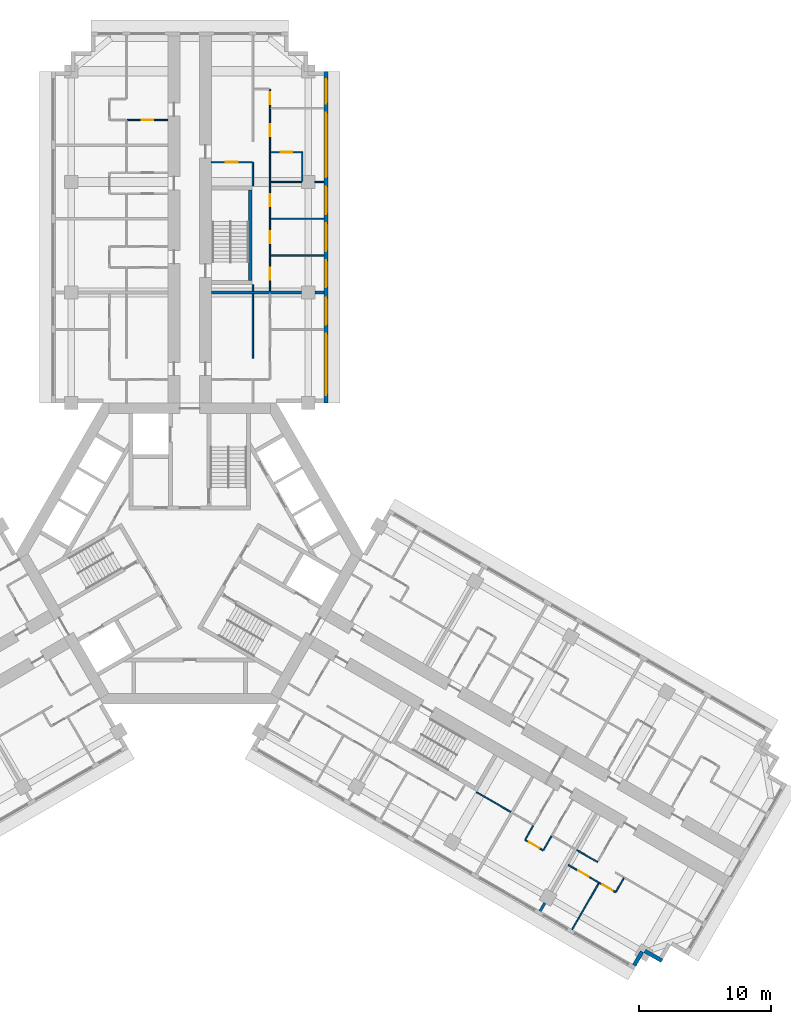
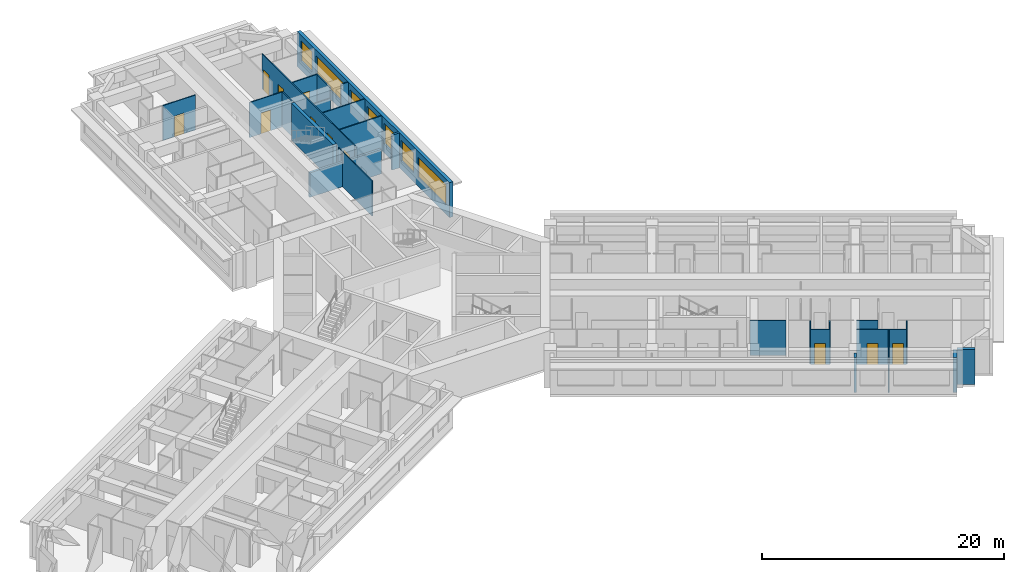
# One storey, part 10 of 15: 27 walls, 11 doors, 7 windows, 18 openings.
"""IFC4 building model written with IfcOpenShell, lengths in metres."""

from ifc_helpers import new_model, si_unit, direction, frame, frame_2d, origin, place, context, subcontext, project, spatial, rectangle, extrude, material, layer, layer_set, type_object, element, fill, save


model = new_model("IFC4")

# Units and contexts
model_context = context("Model", 3, precision=1e-05, world=origin(), true_north=direction((0.0, 1.0)))
body_context = subcontext(model_context, "Body", "Model", "MODEL_VIEW")
ifc_project = project(units=[si_unit("LENGTHUNIT", "METRE"), si_unit("AREAUNIT", "SQUARE_METRE"), si_unit("VOLUMEUNIT", "CUBIC_METRE"), si_unit("PLANEANGLEUNIT", "RADIAN"), si_unit("MASSUNIT", "GRAM", prefix="KILO")], contexts=[model_context])

# Site, building, storey
site_placement = place(None, origin())
site = spatial("IfcSite", under=ifc_project, at=site_placement, CompositionType="ELEMENT")
building_placement = place(site_placement, origin())
building = spatial("IfcBuilding", under=site, at=building_placement, Name="Impinga Residences", CompositionType="ELEMENT")
storey_placement = place(building_placement, frame((0.0, 0.0, 109.75)))
storey = spatial("IfcBuildingStorey", under=building, at=storey_placement, Name="L26", CompositionType="ELEMENT", Elevation=109.75)

# Wall, openings, windows
ifc_material_1 = material(Name="Terracotta rainscreen on blockwork", Category="masonry")
ifc_layer_1 = layer(ifc_material_1, 0.300048828125)
ifc_layer_set_1 = layer_set([ifc_layer_1], Name="EW1 external wall, terracotta rainscreen on blockwork 300")
wall_type_1 = type_object("IfcWallType", Name="EW1 external wall, terracotta rainscreen on blockwork 300", PredefinedType="SOLIDWALL", material=ifc_layer_set_1)
wall_1_placement = place(storey_placement, frame((10.35009765625, 36.631591796875, 0.0), z_axis=(0.0, 0.0, 1.0), x_axis=(0.0, -1.0, 0.0)))
wall_1 = element("IfcWall", 1, at=wall_1_placement, inside=storey, type_object=wall_type_1, Name="External wall EW1 L26", PredefinedType="SOLIDWALL", context=body_context, shape_type="SweptSolid", body=[
    extrude(rectangle(XDim=25.199951171875, YDim=0.300048828125, at=frame_2d((12.60009765625, 0.0))), origin(), (0.0, 0.0, 1.0), 3.530029296875),
])
opening_1_placement = place(wall_1_placement, frame((0.60009765625, 0.0, 0.89990234375)))
opening_1 = element("IfcOpeningElement", 2, at=opening_1_placement, cuts=wall_1, Name="Opening W15", PredefinedType="OPENING", context=body_context, shape_type="SweptSolid", body=[
    extrude(rectangle(XDim=1.85009765625, YDim=2.050048828125, at=frame_2d((0.925048828125, 1.02490234375))), frame((0.0, 0.159912109375, 0.0), z_axis=(0.0, -1.0, 0.0), x_axis=(1.0, 0.0, 0.0)), (0.0, 0.0, 1.0), 0.320068359375),
])
opening_2_placement = place(wall_1_placement, frame((3.14990234375, 0.0, 0.89990234375)))
opening_2 = element("IfcOpeningElement", 3, at=opening_2_placement, cuts=wall_1, Name="Opening W16", PredefinedType="OPENING", context=body_context, shape_type="SweptSolid", body=[
    extrude(rectangle(XDim=4.89990234375, YDim=2.050048828125, at=frame_2d((2.449951171875, 1.02490234375))), frame((0.0, 0.159912109375, 0.0), z_axis=(0.0, -1.0, 0.0), x_axis=(1.0, 0.0, 0.0)), (0.0, 0.0, 1.0), 0.320068359375),
])
opening_3_placement = place(wall_1_placement, frame((8.75, 0.0, 0.89990234375)))
opening_3 = element("IfcOpeningElement", 4, at=opening_3_placement, cuts=wall_1, Name="Opening W9", PredefinedType="OPENING", context=body_context, shape_type="SweptSolid", body=[
    extrude(rectangle(XDim=2.10009765625, YDim=2.050048828125, at=frame_2d((1.050048828125, 1.02490234375))), frame((0.0, 0.159912109375, 0.0), z_axis=(0.0, -1.0, 0.0), x_axis=(1.0, 0.0, 0.0)), (0.0, 0.0, 1.0), 0.320068359375),
])
opening_4_placement = place(wall_1_placement, frame((11.550048828125, 0.0, 0.89990234375)))
opening_4 = element("IfcOpeningElement", 5, at=opening_4_placement, cuts=wall_1, Name="Opening W9", PredefinedType="OPENING", context=body_context, shape_type="SweptSolid", body=[
    extrude(rectangle(XDim=2.10009765625, YDim=2.050048828125, at=frame_2d((1.050048828125, 1.02490234375))), frame((0.0, 0.159912109375, 0.0), z_axis=(0.0, -1.0, 0.0), x_axis=(1.0, 0.0, 0.0)), (0.0, 0.0, 1.0), 0.320068359375),
])
opening_5_placement = place(wall_1_placement, frame((14.35009765625, 0.0, 0.89990234375)))
opening_5 = element("IfcOpeningElement", 6, at=opening_5_placement, cuts=wall_1, Name="Opening W14", PredefinedType="OPENING", context=body_context, shape_type="SweptSolid", body=[
    extrude(rectangle(XDim=2.050048828125, YDim=2.050048828125, at=frame_2d((1.02490234375, 1.02490234375))), frame((0.0, 0.159912109375, 0.0), z_axis=(0.0, -1.0, 0.0), x_axis=(1.0, 0.0, 0.0)), (0.0, 0.0, 1.0), 0.320068359375),
])
opening_6_placement = place(wall_1_placement, frame((17.199951171875, 0.0, 0.89990234375)))
opening_6 = element("IfcOpeningElement", 7, at=opening_6_placement, cuts=wall_1, Name="Opening W14", PredefinedType="OPENING", context=body_context, shape_type="SweptSolid", body=[
    extrude(rectangle(XDim=2.050048828125, YDim=2.050048828125, at=frame_2d((1.02490234375, 1.02490234375))), frame((0.0, 0.159912109375, 0.0), z_axis=(0.0, -1.0, 0.0), x_axis=(1.0, 0.0, 0.0)), (0.0, 0.0, 1.0), 0.320068359375),
])
opening_7_placement = place(wall_1_placement, frame((19.949951171875, 0.0, 0.89990234375)))
opening_7 = element("IfcOpeningElement", 8, at=opening_7_placement, cuts=wall_1, Name="Opening W10", PredefinedType="OPENING", context=body_context, shape_type="SweptSolid", body=[
    extrude(rectangle(XDim=4.64990234375, YDim=2.050048828125, at=frame_2d((2.324951171875, 1.02490234375))), frame((0.0, 0.159912109375, 0.0), z_axis=(0.0, -1.0, 0.0), x_axis=(1.0, 0.0, 0.0)), (0.0, 0.0, 1.0), 0.320068359375),
])
ifc_material_2 = material(Name="Aluminium window, clear double glazing", Category="aluminium")
window_type_1 = type_object("IfcWindowType", Name="W10 ribbon window 4650x2050", PartitioningType="SINGLE_PANEL", PredefinedType="WINDOW", material=ifc_material_2)
window_1_placement = place(opening_7_placement, origin())
window_1 = element("IfcWindow", 9, at=window_1_placement, inside=storey, type_object=window_type_1, Name="Window L26", OverallHeight=2.050048828125, OverallWidth=4.64990234375, PartitioningType="SINGLE_PANEL", PredefinedType="WINDOW", context=body_context, shape_type="SweptSolid", body=[
    extrude(rectangle(XDim=4.64990234375, YDim=2.050048828125, at=frame_2d((2.324951171875, 1.02490234375))), frame((0.0, 0.030029296875, 0.0), z_axis=(0.0, -1.0, 0.0), x_axis=(1.0, 0.0, 0.0)), (0.0, 0.0, 1.0), 0.06005859375),
])
fill(opening_7, window_1)
window_type_2 = type_object("IfcWindowType", Name="W14 ribbon window 2050x2050", PartitioningType="SINGLE_PANEL", PredefinedType="WINDOW", material=ifc_material_2)
window_2_placement = place(opening_5_placement, origin())
window_2 = element("IfcWindow", 10, at=window_2_placement, inside=storey, type_object=window_type_2, Name="Window L26", OverallHeight=2.050048828125, OverallWidth=2.050048828125, PartitioningType="SINGLE_PANEL", PredefinedType="WINDOW", context=body_context, shape_type="SweptSolid", body=[
    extrude(rectangle(XDim=2.050048828125, YDim=2.050048828125, at=frame_2d((1.02490234375, 1.02490234375))), frame((0.0, 0.030029296875, 0.0), z_axis=(0.0, -1.0, 0.0), x_axis=(1.0, 0.0, 0.0)), (0.0, 0.0, 1.0), 0.06005859375),
])
fill(opening_5, window_2)
window_3_placement = place(opening_6_placement, origin())
window_3 = element("IfcWindow", 11, at=window_3_placement, inside=storey, type_object=window_type_2, Name="Window L26", OverallHeight=2.050048828125, OverallWidth=2.050048828125, PartitioningType="SINGLE_PANEL", PredefinedType="WINDOW", context=body_context, shape_type="SweptSolid", body=[
    extrude(rectangle(XDim=2.050048828125, YDim=2.050048828125, at=frame_2d((1.02490234375, 1.02490234375))), frame((0.0, 0.030029296875, 0.0), z_axis=(0.0, -1.0, 0.0), x_axis=(1.0, 0.0, 0.0)), (0.0, 0.0, 1.0), 0.06005859375),
])
fill(opening_6, window_3)
window_type_3 = type_object("IfcWindowType", Name="W15 ribbon window 1850x2050", PartitioningType="SINGLE_PANEL", PredefinedType="WINDOW", material=ifc_material_2)
window_4_placement = place(opening_1_placement, origin())
window_4 = element("IfcWindow", 12, at=window_4_placement, inside=storey, type_object=window_type_3, Name="Window L26", OverallHeight=2.050048828125, OverallWidth=1.85009765625, PartitioningType="SINGLE_PANEL", PredefinedType="WINDOW", context=body_context, shape_type="SweptSolid", body=[
    extrude(rectangle(XDim=1.85009765625, YDim=2.050048828125, at=frame_2d((0.925048828125, 1.02490234375))), frame((0.0, 0.030029296875, 0.0), z_axis=(0.0, -1.0, 0.0), x_axis=(1.0, 0.0, 0.0)), (0.0, 0.0, 1.0), 0.06005859375),
])
fill(opening_1, window_4)
window_type_4 = type_object("IfcWindowType", Name="W16 ribbon window 4900x2050", PartitioningType="SINGLE_PANEL", PredefinedType="WINDOW", material=ifc_material_2)
window_5_placement = place(opening_2_placement, origin())
window_5 = element("IfcWindow", 13, at=window_5_placement, inside=storey, type_object=window_type_4, Name="Window L26", OverallHeight=2.050048828125, OverallWidth=4.89990234375, PartitioningType="SINGLE_PANEL", PredefinedType="WINDOW", context=body_context, shape_type="SweptSolid", body=[
    extrude(rectangle(XDim=4.89990234375, YDim=2.050048828125, at=frame_2d((2.449951171875, 1.02490234375))), frame((0.0, 0.030029296875, 0.0), z_axis=(0.0, -1.0, 0.0), x_axis=(1.0, 0.0, 0.0)), (0.0, 0.0, 1.0), 0.06005859375),
])
fill(opening_2, window_5)
window_type_5 = type_object("IfcWindowType", Name="W9 ribbon window 2100x2050", PartitioningType="SINGLE_PANEL", PredefinedType="WINDOW", material=ifc_material_2)
window_6_placement = place(opening_3_placement, origin())
window_6 = element("IfcWindow", 14, at=window_6_placement, inside=storey, type_object=window_type_5, Name="Window L26", OverallHeight=2.050048828125, OverallWidth=2.10009765625, PartitioningType="SINGLE_PANEL", PredefinedType="WINDOW", context=body_context, shape_type="SweptSolid", body=[
    extrude(rectangle(XDim=2.10009765625, YDim=2.050048828125, at=frame_2d((1.050048828125, 1.02490234375))), frame((0.0, 0.030029296875, 0.0), z_axis=(0.0, -1.0, 0.0), x_axis=(1.0, 0.0, 0.0)), (0.0, 0.0, 1.0), 0.06005859375),
])
fill(opening_3, window_6)
window_7_placement = place(opening_4_placement, origin())
window_7 = element("IfcWindow", 15, at=window_7_placement, inside=storey, type_object=window_type_5, Name="Window L26", OverallHeight=2.050048828125, OverallWidth=2.10009765625, PartitioningType="SINGLE_PANEL", PredefinedType="WINDOW", context=body_context, shape_type="SweptSolid", body=[
    extrude(rectangle(XDim=2.10009765625, YDim=2.050048828125, at=frame_2d((1.050048828125, 1.02490234375))), frame((0.0, 0.030029296875, 0.0), z_axis=(0.0, -1.0, 0.0), x_axis=(1.0, 0.0, 0.0)), (0.0, 0.0, 1.0), 0.06005859375),
])
fill(opening_4, window_7)

# Walls
wall_2_placement = place(storey_placement, frame((35.87255859375, -30.93017578125, 0.0), z_axis=(0.0, 0.0, 1.0), x_axis=(-0.866031096941, 0.499990139034, 0.0)))
element("IfcWall", 16, at=wall_2_placement, inside=storey, type_object=wall_type_1, Name="External wall EW1 L26", PredefinedType="SOLIDWALL", context=body_context, shape_type="SweptSolid", body=[
    extrude(rectangle(XDim=1.5, YDim=0.300048828125, at=frame_2d((0.75, 0.0))), origin(), (0.0, 0.0, 1.0), 3.530029296875),
])
wall_3_placement = place(storey_placement, frame((34.365966796875, -30.2392578125, 0.0), z_axis=(0.0, 0.0, 1.0), x_axis=(-0.499940577336, -0.866059708757, 0.0)))
element("IfcWall", 17, at=wall_3_placement, inside=storey, type_object=wall_type_1, Name="External wall EW1 L26", PredefinedType="SOLIDWALL", context=body_context, shape_type="SweptSolid", body=[
    extrude(rectangle(XDim=1.195068359375, YDim=0.300048828125, at=frame_2d((0.59765625, 0.0))), origin(), (0.0, 0.0, 1.0), 3.530029296875),
])

# Wall, opening, door
ifc_material_3 = material(Name="Gypsum board on steel studs", Category="steel")
ifc_layer_2 = layer(ifc_material_3, 0.10009765625)
ifc_layer_set_2 = layer_set([ifc_layer_2], Name="Gypsum board on steel studs")
wall_type_2 = type_object("IfcWallType", Name="IP1 partition 100", PredefinedType="PARTITIONING", material=ifc_layer_set_2)
wall_4_placement = place(storey_placement, frame((-1.64990234375, 32.931640625, 0.0), z_axis=(0.0, 0.0, 1.0), x_axis=(-1.0, 0.0, 0.0)))
wall_4 = element("IfcWall", 18, at=wall_4_placement, inside=storey, type_object=wall_type_2, Name="Partition L26-NA4:IB1", PredefinedType="PARTITIONING", context=body_context, shape_type="SweptSolid", body=[
    extrude(rectangle(XDim=3.10009765625, YDim=0.10009765625, at=frame_2d((1.550048828125, 0.0))), origin(), (0.0, 0.0, 1.0), 3.530029296875),
])
opening_8_placement = place(wall_4_placement, frame((1.10009765625, 0.0, 0.0)))
opening_8 = element("IfcOpeningElement", 19, at=opening_8_placement, cuts=wall_4, Name="Opening D2", PredefinedType="OPENING", context=body_context, shape_type="SweptSolid", body=[
    extrude(rectangle(XDim=0.89990234375, YDim=2.10009765625, at=frame_2d((0.449951171875, 1.050048828125))), frame((0.0, 0.06005859375, 0.0), z_axis=(0.0, -1.0, 0.0), x_axis=(1.0, 0.0, 0.0)), (0.0, 0.0, 1.0), 0.1201171875),
])
ifc_material_4 = material(Name="Timber door set", Category="wood")
door_type = type_object("IfcDoorType", Name="D2 internal door 900x2100", OperationType="SINGLE_SWING_LEFT", PredefinedType="DOOR", material=ifc_material_4)
door_1_placement = place(opening_8_placement, origin())
door_1 = element("IfcDoor", 20, at=door_1_placement, inside=storey, type_object=door_type, Name="Apartment L26-NA4 bathroom door", OperationType="SINGLE_SWING_LEFT", OverallHeight=2.10009765625, OverallWidth=0.89990234375, PredefinedType="DOOR", context=body_context, shape_type="SweptSolid", body=[
    extrude(rectangle(XDim=0.89990234375, YDim=2.10009765625, at=frame_2d((0.449951171875, 1.050048828125))), frame((0.0, 0.02490234375, 0.0), z_axis=(0.0, -1.0, 0.0), x_axis=(1.0, 0.0, 0.0)), (0.0, 0.0, 1.0), 0.050048828125),
])
fill(opening_8, door_1)

# Walls
wall_5_placement = place(storey_placement, frame((4.800048828125, 14.83154296875, 0.0), z_axis=(0.0, 0.0, 1.0), x_axis=(0.0, 1.0, 0.0)))
element("IfcWall", 21, at=wall_5_placement, inside=storey, type_object=wall_type_2, Name="Partition L26-NF1:DIV1", PredefinedType="PARTITIONING", context=body_context, shape_type="SweptSolid", body=[
    extrude(rectangle(XDim=4.89990234375, YDim=0.10009765625, at=frame_2d((2.449951171875, 0.0))), origin(), (0.0, 0.0, 1.0), 3.530029296875),
])
wall_6_placement = place(storey_placement, frame((4.800048828125, 19.931640625, 0.0), z_axis=(0.0, 0.0, 1.0), x_axis=(0.0, 1.0, 0.0)))
element("IfcWall", 22, at=wall_6_placement, inside=storey, type_object=wall_type_2, Name="Partition L26-NF2:DIV0", PredefinedType="PARTITIONING", context=body_context, shape_type="SweptSolid", body=[
    extrude(rectangle(XDim=0.5, YDim=0.10009765625, at=frame_2d((0.25, 0.0))), origin(), (0.0, 0.0, 1.0), 3.530029296875),
])
wall_7_placement = place(storey_placement, frame((4.800048828125, 27.931640625, 0.0), z_axis=(0.0, 0.0, 1.0), x_axis=(0.0, 1.0, 0.0)))
element("IfcWall", 23, at=wall_7_placement, inside=storey, type_object=wall_type_2, Name="Partition L26-NF2:DIV1", PredefinedType="PARTITIONING", context=body_context, shape_type="SweptSolid", body=[
    extrude(rectangle(XDim=1.7998046875, YDim=0.10009765625, at=frame_2d((0.89990234375, 0.0))), origin(), (0.0, 0.0, 1.0), 3.530029296875),
])

# Wall, openings, doors
wall_8_placement = place(storey_placement, frame((6.10009765625, 19.931640625, 0.0), z_axis=(0.0, 0.0, 1.0), x_axis=(0.0, 1.0, 0.0)))
wall_8 = element("IfcWall", 24, at=wall_8_placement, inside=storey, type_object=wall_type_2, Name="Partition L26-NF2:STRIP", PredefinedType="PARTITIONING", context=body_context, shape_type="SweptSolid", body=[
    extrude(rectangle(XDim=15.349853515625, YDim=0.10009765625, at=frame_2d((7.6748046875, 0.0))), origin(), (0.0, 0.0, 1.0), 3.530029296875),
])
opening_9_placement = place(wall_8_placement, frame((0.875, 0.0, 0.0)))
opening_9 = element("IfcOpeningElement", 25, at=opening_9_placement, cuts=wall_8, Name="Opening D2", PredefinedType="OPENING", context=body_context, shape_type="SweptSolid", body=[
    extrude(rectangle(XDim=0.89990234375, YDim=2.10009765625, at=frame_2d((0.449951171875, 1.050048828125))), frame((0.0, 0.06005859375, 0.0), z_axis=(0.0, -1.0, 0.0), x_axis=(1.0, 0.0, 0.0)), (0.0, 0.0, 1.0), 0.1201171875),
])
opening_10_placement = place(wall_8_placement, frame((3.64990234375, 0.0, 0.0)))
opening_10 = element("IfcOpeningElement", 26, at=opening_10_placement, cuts=wall_8, Name="Opening D2", PredefinedType="OPENING", context=body_context, shape_type="SweptSolid", body=[
    extrude(rectangle(XDim=0.89990234375, YDim=2.10009765625, at=frame_2d((0.449951171875, 1.050048828125))), frame((0.0, 0.06005859375, 0.0), z_axis=(0.0, -1.0, 0.0), x_axis=(1.0, 0.0, 0.0)), (0.0, 0.0, 1.0), 0.1201171875),
])
opening_11_placement = place(wall_8_placement, frame((6.449951171875, 0.0, 0.0)))
opening_11 = element("IfcOpeningElement", 27, at=opening_11_placement, cuts=wall_8, Name="Opening D2", PredefinedType="OPENING", context=body_context, shape_type="SweptSolid", body=[
    extrude(rectangle(XDim=0.89990234375, YDim=2.10009765625, at=frame_2d((0.449951171875, 1.050048828125))), frame((0.0, 0.06005859375, 0.0), z_axis=(0.0, -1.0, 0.0), x_axis=(1.0, 0.0, 0.0)), (0.0, 0.0, 1.0), 0.1201171875),
])
opening_12_placement = place(wall_8_placement, frame((11.77490234375, 0.0, 0.0)))
opening_12 = element("IfcOpeningElement", 28, at=opening_12_placement, cuts=wall_8, Name="Opening D2", PredefinedType="OPENING", context=body_context, shape_type="SweptSolid", body=[
    extrude(rectangle(XDim=0.89990234375, YDim=2.10009765625, at=frame_2d((0.449951171875, 1.050048828125))), frame((0.0, 0.06005859375, 0.0), z_axis=(0.0, -1.0, 0.0), x_axis=(1.0, 0.0, 0.0)), (0.0, 0.0, 1.0), 0.1201171875),
])
opening_13_placement = place(wall_8_placement, frame((14.199951171875, 0.0, 0.0)))
opening_13 = element("IfcOpeningElement", 29, at=opening_13_placement, cuts=wall_8, Name="Opening D2", PredefinedType="OPENING", context=body_context, shape_type="SweptSolid", body=[
    extrude(rectangle(XDim=0.89990234375, YDim=2.10009765625, at=frame_2d((0.449951171875, 1.050048828125))), frame((0.0, 0.06005859375, 0.0), z_axis=(0.0, -1.0, 0.0), x_axis=(1.0, 0.0, 0.0)), (0.0, 0.0, 1.0), 0.1201171875),
])
door_2_placement = place(opening_9_placement, origin())
door_2 = element("IfcDoor", 30, at=door_2_placement, inside=storey, type_object=door_type, Name="Apartment L26-NF2 room door", OperationType="SINGLE_SWING_LEFT", OverallHeight=2.10009765625, OverallWidth=0.89990234375, PredefinedType="DOOR", context=body_context, shape_type="SweptSolid", body=[
    extrude(rectangle(XDim=0.89990234375, YDim=2.10009765625, at=frame_2d((0.449951171875, 1.050048828125))), frame((0.0, 0.02490234375, 0.0), z_axis=(0.0, -1.0, 0.0), x_axis=(1.0, 0.0, 0.0)), (0.0, 0.0, 1.0), 0.050048828125),
])
fill(opening_9, door_2)
door_3_placement = place(opening_10_placement, origin())
door_3 = element("IfcDoor", 31, at=door_3_placement, inside=storey, type_object=door_type, Name="Apartment L26-NF2 room door", OperationType="SINGLE_SWING_LEFT", OverallHeight=2.10009765625, OverallWidth=0.89990234375, PredefinedType="DOOR", context=body_context, shape_type="SweptSolid", body=[
    extrude(rectangle(XDim=0.89990234375, YDim=2.10009765625, at=frame_2d((0.449951171875, 1.050048828125))), frame((0.0, 0.02490234375, 0.0), z_axis=(0.0, -1.0, 0.0), x_axis=(1.0, 0.0, 0.0)), (0.0, 0.0, 1.0), 0.050048828125),
])
fill(opening_10, door_3)
door_4_placement = place(opening_11_placement, origin())
door_4 = element("IfcDoor", 32, at=door_4_placement, inside=storey, type_object=door_type, Name="Apartment L26-NF2 room door", OperationType="SINGLE_SWING_LEFT", OverallHeight=2.10009765625, OverallWidth=0.89990234375, PredefinedType="DOOR", context=body_context, shape_type="SweptSolid", body=[
    extrude(rectangle(XDim=0.89990234375, YDim=2.10009765625, at=frame_2d((0.449951171875, 1.050048828125))), frame((0.0, 0.02490234375, 0.0), z_axis=(0.0, -1.0, 0.0), x_axis=(1.0, 0.0, 0.0)), (0.0, 0.0, 1.0), 0.050048828125),
])
fill(opening_11, door_4)
door_5_placement = place(opening_12_placement, origin())
door_5 = element("IfcDoor", 33, at=door_5_placement, inside=storey, type_object=door_type, Name="Apartment L26-NF2 room door", OperationType="SINGLE_SWING_RIGHT", OverallHeight=2.10009765625, OverallWidth=0.89990234375, PredefinedType="DOOR", context=body_context, shape_type="SweptSolid", body=[
    extrude(rectangle(XDim=0.89990234375, YDim=2.10009765625, at=frame_2d((0.449951171875, 1.050048828125))), frame((0.0, 0.02490234375, 0.0), z_axis=(0.0, -1.0, 0.0), x_axis=(1.0, 0.0, 0.0)), (0.0, 0.0, 1.0), 0.050048828125),
])
fill(opening_12, door_5)
door_6_placement = place(opening_13_placement, origin())
door_6 = element("IfcDoor", 34, at=door_6_placement, inside=storey, type_object=door_type, Name="Apartment L26-NF2 room door", OperationType="SINGLE_SWING_RIGHT", OverallHeight=2.10009765625, OverallWidth=0.89990234375, PredefinedType="DOOR", context=body_context, shape_type="SweptSolid", body=[
    extrude(rectangle(XDim=0.89990234375, YDim=2.10009765625, at=frame_2d((0.449951171875, 1.050048828125))), frame((0.0, 0.02490234375, 0.0), z_axis=(0.0, -1.0, 0.0), x_axis=(1.0, 0.0, 0.0)), (0.0, 0.0, 1.0), 0.050048828125),
])
fill(opening_13, door_6)

# Wall, opening, door
wall_9_placement = place(storey_placement, frame((1.64990234375, 29.7314453125, 0.0), z_axis=(0.0, 0.0, 1.0), x_axis=(1.0, 0.0, 0.0)))
wall_9 = element("IfcWall", 35, at=wall_9_placement, inside=storey, type_object=wall_type_2, Name="Partition L26-NF2:IB1", PredefinedType="PARTITIONING", context=body_context, shape_type="SweptSolid", body=[
    extrude(rectangle(XDim=3.10009765625, YDim=0.10009765625, at=frame_2d((1.550048828125, 0.0))), origin(), (0.0, 0.0, 1.0), 3.530029296875),
])
opening_14_placement = place(wall_9_placement, frame((1.10009765625, 0.0, 0.0)))
opening_14 = element("IfcOpeningElement", 36, at=opening_14_placement, cuts=wall_9, Name="Opening D2", PredefinedType="OPENING", context=body_context, shape_type="SweptSolid", body=[
    extrude(rectangle(XDim=0.89990234375, YDim=2.10009765625, at=frame_2d((0.449951171875, 1.050048828125))), frame((0.0, 0.06005859375, 0.0), z_axis=(0.0, -1.0, 0.0), x_axis=(1.0, 0.0, 0.0)), (0.0, 0.0, 1.0), 0.1201171875),
])
door_7_placement = place(opening_14_placement, origin())
door_7 = element("IfcDoor", 37, at=door_7_placement, inside=storey, type_object=door_type, Name="Apartment L26-NF2 bathroom door", OperationType="SINGLE_SWING_LEFT", OverallHeight=2.10009765625, OverallWidth=0.89990234375, PredefinedType="DOOR", context=body_context, shape_type="SweptSolid", body=[
    extrude(rectangle(XDim=0.89990234375, YDim=2.10009765625, at=frame_2d((0.449951171875, 1.050048828125))), frame((0.0, 0.02490234375, 0.0), z_axis=(0.0, -1.0, 0.0), x_axis=(1.0, 0.0, 0.0)), (0.0, 0.0, 1.0), 0.050048828125),
])
fill(opening_14, door_7)

# Walls
for number, where, z_axis, x_axis, name in (
    (38, (6.14990234375, 22.631591796875, 0.0), (0.0, 0.0, 1.0), (1.0, 0.0, 0.0), "Partition L26-NF2:OB1"),
    (39, (6.14990234375, 25.431640625, 0.0), (0.0, 0.0, 1.0), (1.0, 0.0, 0.0), "Partition L26-NF2:OB2"),
):
    element("IfcWall", number, at=place(storey_placement, frame(where, z_axis=z_axis, x_axis=x_axis)), inside=storey, type_object=wall_type_2, Name=name, PredefinedType="PARTITIONING", context=body_context, shape_type="SweptSolid", body=[
        extrude(rectangle(XDim=4.050048828125, YDim=0.10009765625, at=frame_2d((2.02490234375, 0.0))), origin(), (0.0, 0.0, 1.0), 3.530029296875),
    ])
wall_10_placement = place(storey_placement, frame((6.14990234375, 28.2314453125, 0.0), z_axis=(0.0, 0.0, 1.0), x_axis=(1.0, 0.0, 0.0)))
element("IfcWall", 40, at=wall_10_placement, inside=storey, type_object=wall_type_2, Name="Partition L26-NF2:OB3", PredefinedType="PARTITIONING", context=body_context, shape_type="SweptSolid", body=[
    extrude(rectangle(XDim=2.35009765625, YDim=0.10009765625, at=frame_2d((1.175048828125, 0.0))), origin(), (0.0, 0.0, 1.0), 2.47998046875),
])
wall_11_placement = place(storey_placement, frame((9.5, 28.2314453125, 0.0), z_axis=(0.0, 0.0, 1.0), x_axis=(1.0, 0.0, 0.0)))
element("IfcWall", 41, at=wall_11_placement, inside=storey, type_object=wall_type_2, Name="Partition L26-NF2:OB3b", PredefinedType="PARTITIONING", context=body_context, shape_type="SweptSolid", body=[
    extrude(rectangle(XDim=0.699951171875, YDim=0.10009765625, at=frame_2d((0.35009765625, 0.0))), origin(), (0.0, 0.0, 1.0), 3.530029296875),
])

# Wall, opening, door
wall_12_placement = place(storey_placement, frame((6.14990234375, 30.4814453125, 0.0), z_axis=(0.0, 0.0, 1.0), x_axis=(1.0, 0.0, 0.0)))
wall_12 = element("IfcWall", 42, at=wall_12_placement, inside=storey, type_object=wall_type_2, Name="Partition L26-NF2:EN1", PredefinedType="PARTITIONING", context=body_context, shape_type="SweptSolid", body=[
    extrude(rectangle(XDim=2.4501953125, YDim=0.10009765625, at=frame_2d((1.22509765625, 0.0))), origin(), (0.0, 0.0, 1.0), 3.530029296875),
])
opening_15_placement = place(wall_12_placement, frame((0.75, 0.0, 0.0)))
opening_15 = element("IfcOpeningElement", 43, at=opening_15_placement, cuts=wall_12, Name="Opening D2", PredefinedType="OPENING", context=body_context, shape_type="SweptSolid", body=[
    extrude(rectangle(XDim=0.89990234375, YDim=2.10009765625, at=frame_2d((0.449951171875, 1.050048828125))), frame((0.0, 0.06005859375, 0.0), z_axis=(0.0, -1.0, 0.0), x_axis=(1.0, 0.0, 0.0)), (0.0, 0.0, 1.0), 0.1201171875),
])
door_8_placement = place(opening_15_placement, origin())
door_8 = element("IfcDoor", 44, at=door_8_placement, inside=storey, type_object=door_type, Name="Apartment L26-NF2 en-suite door", OperationType="SINGLE_SWING_LEFT", OverallHeight=2.10009765625, OverallWidth=0.89990234375, PredefinedType="DOOR", context=body_context, shape_type="SweptSolid", body=[
    extrude(rectangle(XDim=0.89990234375, YDim=2.10009765625, at=frame_2d((0.449951171875, 1.050048828125))), frame((0.0, 0.02490234375, 0.0), z_axis=(0.0, -1.0, 0.0), x_axis=(1.0, 0.0, 0.0)), (0.0, 0.0, 1.0), 0.050048828125),
])
fill(opening_15, door_8)

# Walls
wall_13_placement = place(storey_placement, frame((8.550048828125, 28.281494140625, 0.0), z_axis=(0.0, 0.0, 1.0), x_axis=(0.0, 1.0, 0.0)))
element("IfcWall", 45, at=wall_13_placement, inside=storey, type_object=wall_type_2, Name="Partition L26-NF2:EN2", PredefinedType="PARTITIONING", context=body_context, shape_type="SweptSolid", body=[
    extrude(rectangle(XDim=2.150146484375, YDim=0.10009765625, at=frame_2d((1.0751953125, 0.0))), origin(), (0.0, 0.0, 1.0), 3.530029296875),
])
wall_14_placement = place(storey_placement, frame((21.789306640625, -18.122802734375, 0.0), z_axis=(0.0, 0.0, 1.0), x_axis=(0.866031096941, -0.499990139034, 0.0)))
element("IfcWall", 46, at=wall_14_placement, inside=storey, type_object=wall_type_2, Name="Partition L26-EF1:DIV2", PredefinedType="PARTITIONING", context=body_context, shape_type="SweptSolid", body=[
    extrude(rectangle(XDim=3.0, YDim=0.10009765625, at=frame_2d((1.5, 0.0))), origin(), (0.0, 0.0, 1.0), 3.530029296875),
])

# Wall, opening, door
wall_15_placement = place(storey_placement, frame((25.469482421875, -21.74853515625, 0.0), z_axis=(0.0, 0.0, 1.0), x_axis=(0.866028054938, -0.499995408039, 0.0)))
wall_15 = element("IfcWall", 47, at=wall_15_placement, inside=storey, type_object=wall_type_2, Name="Partition L26-EF2:STRIP", PredefinedType="PARTITIONING", context=body_context, shape_type="SweptSolid", body=[
    extrude(rectangle(XDim=1.60009765625, YDim=0.10009765625, at=frame_2d((0.800048828125, 0.0))), origin(), (0.0, 0.0, 1.0), 3.530029296875),
])
opening_16_placement = place(wall_15_placement, frame((0.35009765625, 0.0, 0.0)))
opening_16 = element("IfcOpeningElement", 48, at=opening_16_placement, cuts=wall_15, Name="Opening D2", PredefinedType="OPENING", context=body_context, shape_type="SweptSolid", body=[
    extrude(rectangle(XDim=0.89990234375, YDim=2.10009765625, at=frame_2d((0.449951171875, 1.050048828125))), frame((0.0, 0.06005859375, 0.0), z_axis=(0.0, -1.0, 0.0), x_axis=(1.0, 0.0, 0.0)), (0.0, 0.0, 1.0), 0.1201171875),
])
door_9_placement = place(opening_16_placement, origin())
door_9 = element("IfcDoor", 49, at=door_9_placement, inside=storey, type_object=door_type, Name="Apartment L26-EF2 room door", OperationType="SINGLE_SWING_LEFT", OverallHeight=2.10009765625, OverallWidth=0.89990234375, PredefinedType="DOOR", context=body_context, shape_type="SweptSolid", body=[
    extrude(rectangle(XDim=0.89990234375, YDim=2.10009765625, at=frame_2d((0.449951171875, 1.050048828125))), frame((0.0, 0.02490234375, 0.0), z_axis=(0.0, -1.0, 0.0), x_axis=(1.0, 0.0, 0.0)), (0.0, 0.0, 1.0), 0.050048828125),
])
fill(opening_16, door_9)

# Walls
for number, where, z_axis, x_axis, name in (
    (50, (26.094482421875, -20.666015625, 0.0), (0.0, 0.0, 1.0), (-0.499880961361, -0.866094119867, 0.0), "Partition L26-EF2:SE0"),
    (51, (27.480224609375, -21.466064453125, 0.0), (0.0, 0.0, 1.0), (-0.50012165622, -0.865955154139, 0.0), "Partition L26-EF2:SE1"),
):
    element("IfcWall", number, at=place(storey_placement, frame(where, z_axis=z_axis, x_axis=x_axis)), inside=storey, type_object=wall_type_2, Name=name, PredefinedType="PARTITIONING", context=body_context, shape_type="SweptSolid", body=[
        extrude(rectangle(XDim=1.199951171875, YDim=0.10009765625, at=frame_2d((0.60009765625, 0.0))), origin(), (0.0, 0.0, 1.0), 3.530029296875),
    ])
wall_16_placement = place(storey_placement, frame((29.410400390625, -22.522705078125, 0.0), z_axis=(0.0, 0.0, 1.0), x_axis=(0.866047807691, -0.499961193289, 0.0)))
element("IfcWall", 52, at=wall_16_placement, inside=storey, type_object=wall_type_2, Name="Partition L26-EF3:DIV0", PredefinedType="PARTITIONING", context=body_context, shape_type="SweptSolid", body=[
    extrude(rectangle(XDim=1.800048828125, YDim=0.10009765625, at=frame_2d((0.89990234375, 0.0))), origin(), (0.0, 0.0, 1.0), 3.530029296875),
])

# Wall, openings, doors
wall_17_placement = place(storey_placement, frame((28.760498046875, -23.6484375, 0.0), z_axis=(0.0, 0.0, 1.0), x_axis=(0.866004344652, -0.500036473714, 0.0)))
wall_17 = element("IfcWall", 53, at=wall_17_placement, inside=storey, type_object=wall_type_2, Name="Partition L26-EF3:STRIP", PredefinedType="PARTITIONING", context=body_context, shape_type="SweptSolid", body=[
    extrude(rectangle(XDim=4.150146484375, YDim=0.10009765625, at=frame_2d((2.0751953125, 0.0))), origin(), (0.0, 0.0, 1.0), 3.530029296875),
])
opening_17_placement = place(wall_17_placement, frame((0.875, 0.0, 0.0)))
opening_17 = element("IfcOpeningElement", 54, at=opening_17_placement, cuts=wall_17, Name="Opening D2", PredefinedType="OPENING", context=body_context, shape_type="SweptSolid", body=[
    extrude(rectangle(XDim=0.89990234375, YDim=2.10009765625, at=frame_2d((0.449951171875, 1.050048828125))), frame((0.0, 0.06005859375, 0.0), z_axis=(0.0, -1.0, 0.0), x_axis=(1.0, 0.0, 0.0)), (0.0, 0.0, 1.0), 0.1201171875),
])
opening_18_placement = place(wall_17_placement, frame((3.0, 0.0, 0.0)))
opening_18 = element("IfcOpeningElement", 55, at=opening_18_placement, cuts=wall_17, Name="Opening D2", PredefinedType="OPENING", context=body_context, shape_type="SweptSolid", body=[
    extrude(rectangle(XDim=0.89990234375, YDim=2.10009765625, at=frame_2d((0.449951171875, 1.050048828125))), frame((0.0, 0.06005859375, 0.0), z_axis=(0.0, -1.0, 0.0), x_axis=(1.0, 0.0, 0.0)), (0.0, 0.0, 1.0), 0.1201171875),
])
door_10_placement = place(opening_17_placement, origin())
door_10 = element("IfcDoor", 56, at=door_10_placement, inside=storey, type_object=door_type, Name="Apartment L26-EF3 room door", OperationType="SINGLE_SWING_LEFT", OverallHeight=2.10009765625, OverallWidth=0.89990234375, PredefinedType="DOOR", context=body_context, shape_type="SweptSolid", body=[
    extrude(rectangle(XDim=0.89990234375, YDim=2.10009765625, at=frame_2d((0.449951171875, 1.050048828125))), frame((0.0, 0.02490234375, 0.0), z_axis=(0.0, -1.0, 0.0), x_axis=(1.0, 0.0, 0.0)), (0.0, 0.0, 1.0), 0.050048828125),
])
fill(opening_17, door_10)
door_11_placement = place(opening_18_placement, origin())
door_11 = element("IfcDoor", 57, at=door_11_placement, inside=storey, type_object=door_type, Name="Apartment L26-EF3 room door", OperationType="SINGLE_SWING_RIGHT", OverallHeight=2.10009765625, OverallWidth=0.89990234375, PredefinedType="DOOR", context=body_context, shape_type="SweptSolid", body=[
    extrude(rectangle(XDim=0.89990234375, YDim=2.10009765625, at=frame_2d((0.449951171875, 1.050048828125))), frame((0.0, 0.02490234375, 0.0), z_axis=(0.0, -1.0, 0.0), x_axis=(1.0, 0.0, 0.0)), (0.0, 0.0, 1.0), 0.050048828125),
])
fill(opening_18, door_11)

# Walls
wall_18_placement = place(storey_placement, frame((32.9794921875, -24.640869140625, 0.0), z_axis=(0.0, 0.0, 1.0), x_axis=(-0.500033551112, -0.866006032174, 0.0)))
element("IfcWall", 58, at=wall_18_placement, inside=storey, type_object=wall_type_2, Name="Partition L26-EF3:SE1", PredefinedType="PARTITIONING", context=body_context, shape_type="SweptSolid", body=[
    extrude(rectangle(XDim=1.2001953125, YDim=0.10009765625, at=frame_2d((0.60009765625, 0.0))), origin(), (0.0, 0.0, 1.0), 3.530029296875),
])
wall_19_placement = place(storey_placement, frame((31.07373046875, -25.041748046875, 0.0), z_axis=(0.0, 0.0, 1.0), x_axis=(-0.499964223975, -0.866046058097, 0.0)))
element("IfcWall", 59, at=wall_19_placement, inside=storey, type_object=wall_type_2, Name="Partition L26-EF3:OB1", PredefinedType="PARTITIONING", context=body_context, shape_type="SweptSolid", body=[
    extrude(rectangle(XDim=4.050048828125, YDim=0.10009765625, at=frame_2d((2.02490234375, 0.0))), origin(), (0.0, 0.0, 1.0), 3.530029296875),
])
ifc_material_5 = material(Name="Concrete blockwork", Category="masonry")
ifc_layer_3 = layer(ifc_material_5, 0.199951171875)
ifc_layer_set_3 = layer_set([ifc_layer_3], Name="PW1 party wall between apartments 200")
wall_type_3 = type_object("IfcWallType", Name="PW1 party wall between apartments 200", PredefinedType="SOLIDWALL", material=ifc_layer_set_3)
wall_20_placement = place(storey_placement, frame((1.64990234375, 19.83154296875, 0.0), z_axis=(0.0, 0.0, 1.0), x_axis=(1.0, 0.0, 0.0)))
element("IfcWall", 60, at=wall_20_placement, inside=storey, type_object=wall_type_3, Name="Party wall between apartments L26-NF1:PARTY", PredefinedType="SOLIDWALL", context=body_context, shape_type="SweptSolid", body=[
    extrude(rectangle(XDim=6.85009765625, YDim=0.199951171875, at=frame_2d((3.425048828125, 0.0))), origin(), (0.0, 0.0, 1.0), 2.47998046875),
])
for number, where, z_axis, x_axis, name in (
    (61, (9.5, 19.83154296875, 0.0), (0.0, 0.0, 1.0), (1.0, 0.0, 0.0), "Party wall between apartments L26-NF1:PARTYb"),
    (62, (26.973876953125, -26.54296875, 0.0), (0.0, 0.0, 1.0), (-0.500114896893, -0.865959057869, 0.0), "Party wall between apartments L26-EF2:PARTYb"),
):
    element("IfcWall", number, at=place(storey_placement, frame(where, z_axis=z_axis, x_axis=x_axis)), inside=storey, type_object=wall_type_3, Name=name, PredefinedType="SOLIDWALL", context=body_context, shape_type="SweptSolid", body=[
        extrude(rectangle(XDim=0.699951171875, YDim=0.199951171875, at=frame_2d((0.35009765625, 0.0))), origin(), (0.0, 0.0, 1.0), 3.530029296875),
    ])
ifc_material_6 = material(Name="Concrete C60/75", Category="concrete")
ifc_layer_4 = layer(ifc_material_6, 0.300048828125)
ifc_layer_set_4 = layer_set([ifc_layer_4], Name="Concrete C60/75")
wall_type_4 = type_object("IfcWallType", Name="SE1 wing stair enclosure wall 300", PredefinedType="SOLIDWALL", material=ifc_layer_set_4)
wall_21_placement = place(storey_placement, frame((4.60009765625, 20.7314453125, 0.0), z_axis=(0.0, 0.0, 1.0), x_axis=(0.0, 1.0, 0.0)))
element("IfcWall", 63, at=wall_21_placement, inside=storey, type_object=wall_type_4, Name="Stair enclosure wall SE1 N OUT L26", PredefinedType="SOLIDWALL", context=body_context, shape_type="SweptSolid", body=[
    extrude(rectangle(XDim=6.900146484375, YDim=0.300048828125, at=frame_2d((3.4501953125, 0.0))), origin(), (0.0, 0.0, 1.0), 3.75),
])

save(model, "model.ifc")
